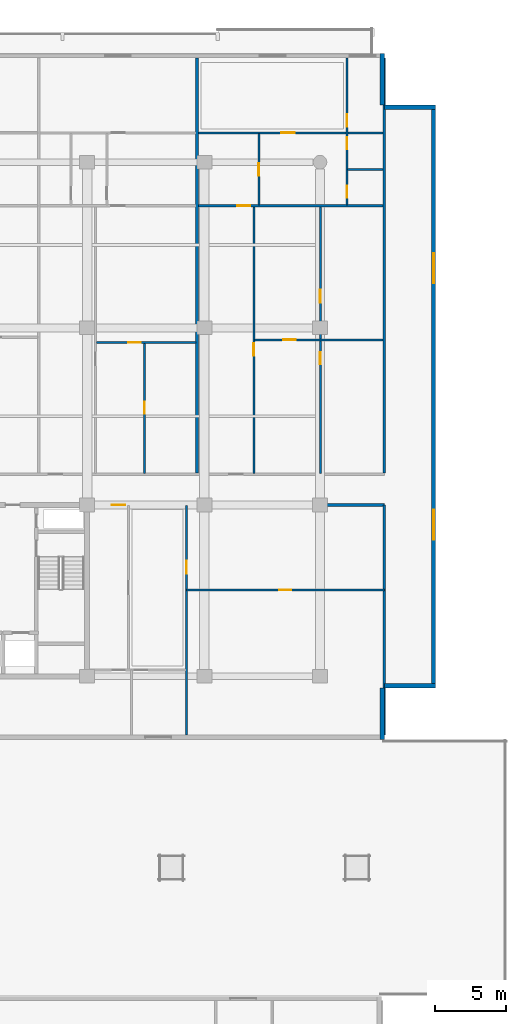
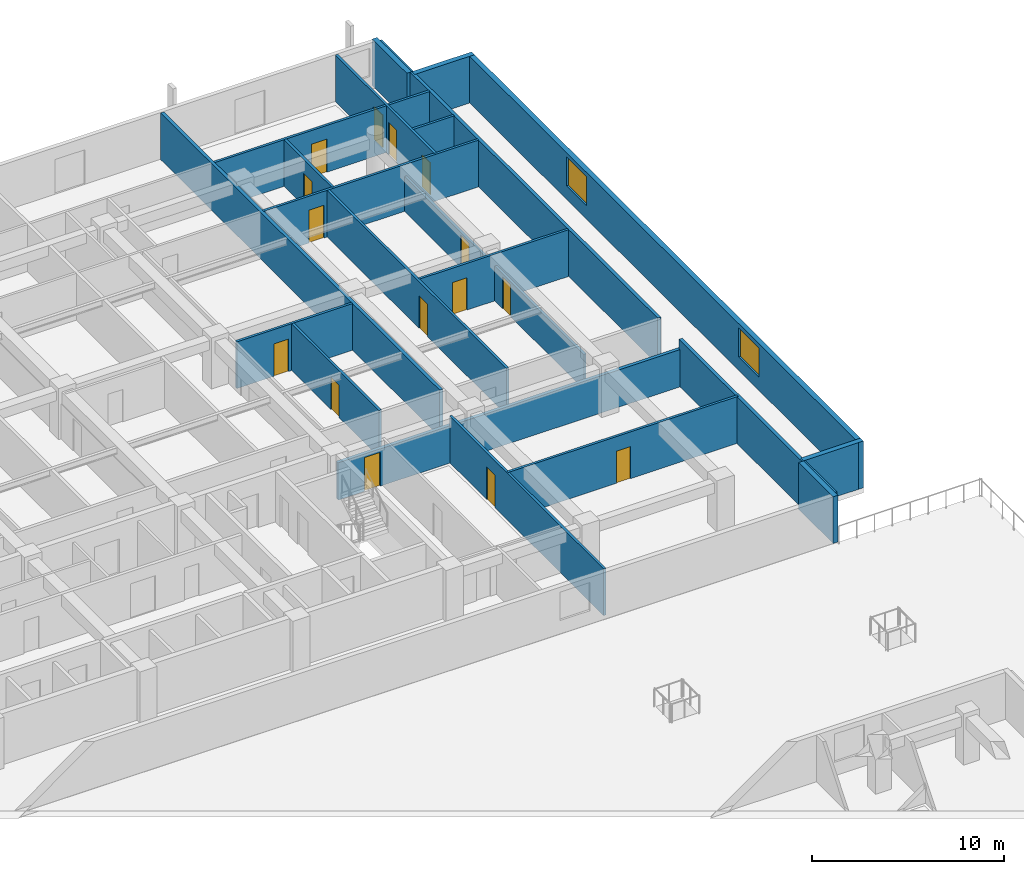
# One storey, part 17 of 24: 21 walls, 15 doors, 2 windows, 17 openings.
"""IFC4 building model written with IfcOpenShell, lengths in metres."""

from ifc_helpers import new_model, si_unit, direction, frame, frame_2d, origin, place, context, subcontext, project, spatial, rectangle, extrude, material, layer, layer_set, type_object, element, fill, save


model = new_model("IFC4")

# Units and contexts
model_context = context("Model", 3, precision=1e-05, world=origin(), true_north=direction((0.0, 1.0)))
body_context = subcontext(model_context, "Body", "Model", "MODEL_VIEW")
ifc_project = project(units=[si_unit("LENGTHUNIT", "METRE"), si_unit("AREAUNIT", "SQUARE_METRE"), si_unit("VOLUMEUNIT", "CUBIC_METRE"), si_unit("PLANEANGLEUNIT", "RADIAN"), si_unit("MASSUNIT", "GRAM", prefix="KILO")], contexts=[model_context])

# Site, building, storey
site_placement = place(None, origin())
site = spatial("IfcSite", under=ifc_project, at=site_placement, CompositionType="ELEMENT")
building_placement = place(site_placement, origin())
building = spatial("IfcBuilding", under=site, at=building_placement, Name="Korimba Cascade Residences", CompositionType="ELEMENT")
storey_placement = place(building_placement, frame((0.0, 0.0, 24.0)))
storey = spatial("IfcBuildingStorey", under=building, at=storey_placement, Name="L05", CompositionType="ELEMENT", Elevation=24.0)

# Walls
ifc_material_1 = material(Name="Precast concrete C40/50", Category="concrete")
ifc_layer_1 = layer(ifc_material_1, 0.300048828125)
ifc_layer_set_1 = layer_set([ifc_layer_1], Name="Precast concrete C40/50")
wall_type_1 = type_object("IfcWallType", Name="EW-STONE-300", PredefinedType="STANDARD", material=ifc_layer_set_1)
wall_1_placement = place(storey_placement, frame((132.75, 50.800048828125, 0.0), z_axis=(0.0, 0.0, 1.0), x_axis=(0.0, 1.0, 0.0)))
element("IfcWall", 1, at=wall_1_placement, inside=storey, type_object=wall_type_1, Name="L05 T1 Perimeter Stone Wall E01", PredefinedType="STANDARD", context=body_context, shape_type="SweptSolid", body=[
    extrude(rectangle(XDim=3.599853515625, YDim=0.300048828125, at=frame_2d((1.7998046875, 0.0))), origin(), (0.0, 0.0, 1.0), 2.969970703125),
])
wall_2_placement = place(storey_placement, frame((132.89990234375, 54.550048828125, 0.0), z_axis=(0.0, 0.0, 1.0), x_axis=(1.0, 0.0, 0.0)))
element("IfcWall", 2, at=wall_2_placement, inside=storey, type_object=wall_type_1, Name="L05 T1 Perimeter Stone Wall E02", PredefinedType="STANDARD", context=body_context, shape_type="SweptSolid", body=[
    extrude(rectangle(XDim=3.60009765625, YDim=0.300048828125, at=frame_2d((1.800048828125, 0.0))), origin(), (0.0, 0.0, 1.0), 2.969970703125),
])

# Wall, openings, windows
wall_3_placement = place(storey_placement, frame((136.35009765625, 54.39990234375, 0.0), z_axis=(0.0, 0.0, 1.0), x_axis=(0.0, 1.0, 0.0)))
wall_3 = element("IfcWall", 3, at=wall_3_placement, inside=storey, type_object=wall_type_1, Name="L05 T1 Perimeter Stone Wall E03", PredefinedType="STANDARD", context=body_context, shape_type="SweptSolid", body=[
    extrude(rectangle(XDim=40.800048828125, YDim=0.300048828125, at=frame_2d((20.39990234375, 0.0))), origin(), (0.0, 0.0, 1.0), 2.969970703125),
])
opening_1_placement = place(wall_3_placement, frame((10.3740234375, 0.0, 0.85009765625)))
opening_1 = element("IfcOpeningElement", 4, at=opening_1_placement, cuts=wall_3, Name="Opening W-03", PredefinedType="OPENING", context=body_context, shape_type="SweptSolid", body=[
    extrude(rectangle(XDim=2.10009765625, YDim=1.85009765625, at=frame_2d((1.050048828125, 0.925048828125))), frame((0.0, 0.16015625, 0.0), z_axis=(0.0, -1.0, 0.0), x_axis=(1.0, 0.0, 0.0)), (0.0, 0.0, 1.0), 0.320068359375),
])
opening_2_placement = place(wall_3_placement, frame((28.325927734375, 0.0, 0.85009765625)))
opening_2 = element("IfcOpeningElement", 5, at=opening_2_placement, cuts=wall_3, Name="Opening W-03", PredefinedType="OPENING", context=body_context, shape_type="SweptSolid", body=[
    extrude(rectangle(XDim=2.10009765625, YDim=1.85009765625, at=frame_2d((1.050048828125, 0.925048828125))), frame((0.0, 0.16015625, 0.0), z_axis=(0.0, -1.0, 0.0), x_axis=(1.0, 0.0, 0.0)), (0.0, 0.0, 1.0), 0.320068359375),
])
ifc_material_2 = material(Name="Double-Glazed Aluminium Window", Category="aluminium")
window_type = type_object("IfcWindowType", Name="WIN-CRN-2100", PartitioningType="DOUBLE_PANEL_HORIZONTAL", PredefinedType="WINDOW", material=ifc_material_2)
window_1_placement = place(opening_1_placement, origin())
window_1 = element("IfcWindow", 6, at=window_1_placement, inside=storey, type_object=window_type, Name="L05 T1 End View Window 3.1", OverallHeight=1.85009765625, OverallWidth=2.10009765625, PartitioningType="DOUBLE_PANEL_HORIZONTAL", PredefinedType="WINDOW", context=body_context, shape_type="SweptSolid", body=[
    extrude(rectangle(XDim=2.10009765625, YDim=1.85009765625, at=frame_2d((1.050048828125, 0.925048828125))), frame((0.0, 0.030029296875, 0.0), z_axis=(0.0, -1.0, 0.0), x_axis=(1.0, 0.0, 0.0)), (0.0, 0.0, 1.0), 0.06005859375),
])
fill(opening_1, window_1)
window_2_placement = place(opening_2_placement, origin())
window_2 = element("IfcWindow", 7, at=window_2_placement, inside=storey, type_object=window_type, Name="L05 T1 End View Window 3.2", OverallHeight=1.85009765625, OverallWidth=2.10009765625, PartitioningType="DOUBLE_PANEL_HORIZONTAL", PredefinedType="WINDOW", context=body_context, shape_type="SweptSolid", body=[
    extrude(rectangle(XDim=2.10009765625, YDim=1.85009765625, at=frame_2d((1.050048828125, 0.925048828125))), frame((0.0, 0.030029296875, 0.0), z_axis=(0.0, -1.0, 0.0), x_axis=(1.0, 0.0, 0.0)), (0.0, 0.0, 1.0), 0.06005859375),
])
fill(opening_2, window_2)

# Walls
for number, where, z_axis, x_axis, name in (
    (8, (136.5, 95.050048828125, 0.0), (0.0, 0.0, 1.0), (-1.0, 0.0, 0.0), "L05 T1 Perimeter Stone Wall E04"),
    (9, (132.75, 95.199951171875, 0.0), (0.0, 0.0, 1.0), (0.0, 1.0, 0.0), "L05 T1 Perimeter Stone Wall E05"),
):
    element("IfcWall", number, at=place(storey_placement, frame(where, z_axis=z_axis, x_axis=x_axis)), inside=storey, type_object=wall_type_1, Name=name, PredefinedType="STANDARD", context=body_context, shape_type="SweptSolid", body=[
        extrude(rectangle(XDim=3.60009765625, YDim=0.300048828125, at=frame_2d((1.800048828125, 0.0))), origin(), (0.0, 0.0, 1.0), 2.969970703125),
    ])
ifc_layer_2 = layer(ifc_material_1, 0.199951171875)
ifc_layer_set_2 = layer_set([ifc_layer_2], Name="Precast concrete C40/50")
wall_type_2 = type_object("IfcWallType", Name="WAL-IT-200", PredefinedType="PARTITIONING", material=ifc_layer_set_2)
wall_4_placement = place(storey_placement, frame((132.89990234375, 51.10009765625, 0.0), z_axis=(0.0, 0.0, 1.0), x_axis=(0.0, 1.0, 0.0)))
element("IfcWall", 10, at=wall_4_placement, inside=storey, type_object=wall_type_2, Name="L05 Partition Wall WAL-L05-T1-FE-WR", PredefinedType="PARTITIONING", context=body_context, shape_type="SweptSolid", body=[
    extrude(rectangle(XDim=16.099853515625, YDim=0.199951171875, at=frame_2d((8.0498046875, 0.0))), origin(), (0.0, 0.0, 1.0), 2.969970703125),
])

# Wall, opening, door
wall_5_placement = place(storey_placement, frame((112.25, 67.199951171875, 0.0), z_axis=(0.0, 0.0, 1.0), x_axis=(1.0, 0.0, 0.0)))
wall_5 = element("IfcWall", 11, at=wall_5_placement, inside=storey, type_object=wall_type_2, Name="L05 Partition Wall WAL-L05-T1-FE-N", PredefinedType="PARTITIONING", context=body_context, shape_type="SweptSolid", body=[
    extrude(rectangle(XDim=20.64990234375, YDim=0.199951171875, at=frame_2d((10.324951171875, 0.0))), origin(), (0.0, 0.0, 1.0), 2.3701171875),
])
opening_3_placement = place(wall_5_placement, frame((1.580078125, 0.0, 0.0)))
opening_3 = element("IfcOpeningElement", 12, at=opening_3_placement, cuts=wall_5, Name="Opening D-UN1", PredefinedType="OPENING", context=body_context, shape_type="SweptSolid", body=[
    extrude(rectangle(XDim=0.949951171875, YDim=2.14990234375, at=frame_2d((0.47509765625, 1.074951171875))), frame((0.0, 0.10986328125, 0.0), z_axis=(0.0, -1.0, 0.0), x_axis=(1.0, 0.0, 0.0)), (0.0, 0.0, 1.0), 0.219970703125),
])
ifc_material_3 = material(Name="Fire-Rated Hardwood Apartment Entrance Door", Category="wood")
door_type_1 = type_object("IfcDoorType", Name="DR-FD60-950", OperationType="NOTDEFINED", PredefinedType="DOOR", material=ifc_material_3)
door_1_placement = place(opening_3_placement, origin())
door_1 = element("IfcDoor", 13, at=door_1_placement, inside=storey, type_object=door_type_1, Name="L05-T1-FE Entrance Door", OperationType="SINGLE_SWING_RIGHT", OverallHeight=2.14990234375, OverallWidth=0.949951171875, PredefinedType="DOOR", context=body_context, shape_type="SweptSolid", body=[
    extrude(rectangle(XDim=0.949951171875, YDim=2.14990234375, at=frame_2d((0.47509765625, 1.074951171875))), frame((0.0, 0.02490234375, 0.0), z_axis=(0.0, -1.0, 0.0), x_axis=(1.0, 0.0, 0.0)), (0.0, 0.0, 1.0), 0.050048828125),
])
fill(opening_3, door_1)

# Walls
for number, where, z_axis, x_axis, name in (
    (14, (132.89990234375, 69.429931640625, 0.0), (0.0, 0.0, 1.0), (0.0, 1.0, 0.0), "L05 Partition Wall WAL-L05-T1-BNDWR"),
    (15, (119.798583984375, 69.429931640625, 0.0), (0.0, 0.0, 1.0), (0.0, 1.0, 0.0), "L05 Partition Wall WAL-L05-T1-DEM-6"),
):
    element("IfcWall", number, at=place(storey_placement, frame(where, z_axis=z_axis, x_axis=x_axis)), inside=storey, type_object=wall_type_2, Name=name, PredefinedType="PARTITIONING", context=body_context, shape_type="SweptSolid", body=[
        extrude(rectangle(XDim=29.070068359375, YDim=0.199951171875, at=frame_2d((14.53515625, 0.0))), origin(), (0.0, 0.0, 1.0), 2.969970703125),
    ])

# Wall, opening, door
ifc_material_4 = material(Name="Insulated Acoustic Stud Partition", Category="gypsum")
ifc_layer_3 = layer(ifc_material_4, 0.14990234375)
ifc_layer_set_3 = layer_set([ifc_layer_3], Name="Insulated Acoustic Stud Partition")
wall_type_3 = type_object("IfcWallType", Name="WAL-PART-150", PredefinedType="PARTITIONING", material=ifc_layer_set_3)
wall_6_placement = place(storey_placement, frame((119.050048828125, 61.25, 0.0), z_axis=(0.0, 0.0, 1.0), x_axis=(1.0, 0.0, 0.0)))
wall_6 = element("IfcWall", 16, at=wall_6_placement, inside=storey, type_object=wall_type_3, Name="L05 Partition Wall WAL-L05-T1-FE-STH", PredefinedType="PARTITIONING", context=body_context, shape_type="SweptSolid", body=[
    extrude(rectangle(XDim=13.849853515625, YDim=0.14990234375, at=frame_2d((6.9248046875, 0.0))), origin(), (0.0, 0.0, 1.0), 2.969970703125),
])
opening_4_placement = place(wall_6_placement, frame((6.5048828125, 0.0, 0.0)))
opening_4 = element("IfcOpeningElement", 17, at=opening_4_placement, cuts=wall_6, Name="Opening D-BT1", PredefinedType="OPENING", context=body_context, shape_type="SweptSolid", body=[
    extrude(rectangle(XDim=0.840087890625, YDim=2.0400390625, at=frame_2d((0.419921875, 1.02001953125))), frame((0.0, 0.0849609375, 0.0), z_axis=(0.0, -1.0, 0.0), x_axis=(1.0, 0.0, 0.0)), (0.0, 0.0, 1.0), 0.169921875),
])
ifc_material_5 = material(Name="Moisture-Resistant Bathroom Timber Door", Category="wood")
door_type_2 = type_object("IfcDoorType", Name="DR-INT-850", OperationType="NOTDEFINED", PredefinedType="DOOR", material=ifc_material_5)
door_2_placement = place(opening_4_placement, origin())
door_2 = element("IfcDoor", 18, at=door_2_placement, inside=storey, type_object=door_type_2, Name="L05-T1-FE Dressing Store Door", OperationType="SINGLE_SWING_LEFT", OverallHeight=2.0400390625, OverallWidth=0.840087890625, PredefinedType="DOOR", context=body_context, shape_type="SweptSolid", body=[
    extrude(rectangle(XDim=0.840087890625, YDim=2.0400390625, at=frame_2d((0.419921875, 1.02001953125))), frame((0.0, 0.02490234375, 0.0), z_axis=(0.0, -1.0, 0.0), x_axis=(1.0, 0.0, 0.0)), (0.0, 0.0, 1.0), 0.050048828125),
])
fill(opening_4, door_2)

wall_7_placement = place(storey_placement, frame((119.050048828125, 51.10009765625, 0.0), z_axis=(0.0, 0.0, 1.0), x_axis=(0.0, 1.0, 0.0)))
wall_7 = element("IfcWall", 19, at=wall_7_placement, inside=storey, type_object=wall_type_3, Name="L05 Partition Wall WAL-L05-T1-FE-STV", PredefinedType="PARTITIONING", context=body_context, shape_type="SweptSolid", body=[
    extrude(rectangle(XDim=16.0498046875, YDim=0.14990234375, at=frame_2d((8.02490234375, 0.0))), origin(), (0.0, 0.0, 1.0), 2.969970703125),
])
opening_5_placement = place(wall_7_placement, frame((11.300048828125, 0.0, 0.0)))
opening_5 = element("IfcOpeningElement", 20, at=opening_5_placement, cuts=wall_7, Name="Opening D-IN2", PredefinedType="OPENING", context=body_context, shape_type="SweptSolid", body=[
    extrude(rectangle(XDim=0.8798828125, YDim=2.06005859375, at=frame_2d((0.43994140625, 1.030029296875))), frame((0.0, 0.0849609375, 0.0), z_axis=(0.0, -1.0, 0.0), x_axis=(1.0, 0.0, 0.0)), (0.0, 0.0, 1.0), 0.169921875),
])
ifc_material_6 = material(Name="Acoustic Timber Bedroom Door", Category="wood")
door_type_3 = type_object("IfcDoorType", Name="DR-INT-880", OperationType="NOTDEFINED", PredefinedType="DOOR", material=ifc_material_6)
door_3_placement = place(opening_5_placement, origin())
door_3 = element("IfcDoor", 21, at=door_3_placement, inside=storey, type_object=door_type_3, Name="L05-T1-FE Study Door", OperationType="SINGLE_SWING_RIGHT", OverallHeight=2.06005859375, OverallWidth=0.8798828125, PredefinedType="DOOR", context=body_context, shape_type="SweptSolid", body=[
    extrude(rectangle(XDim=0.8798828125, YDim=2.06005859375, at=frame_2d((0.43994140625, 1.030029296875))), frame((0.0, 0.02490234375, 0.0), z_axis=(0.0, -1.0, 0.0), x_axis=(1.0, 0.0, 0.0)), (0.0, 0.0, 1.0), 0.050048828125),
])
fill(opening_5, door_3)

wall_8_placement = place(storey_placement, frame((116.11083984375, 69.409912109375, 0.0), z_axis=(0.0, 0.0, 1.0), x_axis=(0.0, 1.0, 0.0)))
wall_8 = element("IfcWall", 22, at=wall_8_placement, inside=storey, type_object=wall_type_3, Name="L05 Partition Wall WAL-L05-T1-U06-FMV", PredefinedType="PARTITIONING", context=body_context, shape_type="SweptSolid", body=[
    extrude(rectangle(XDim=9.170166015625, YDim=0.14990234375, at=frame_2d((4.5849609375, 0.0))), origin(), (0.0, 0.0, 1.0), 2.969970703125),
])
opening_6_placement = place(wall_8_placement, frame((4.1650390625, 0.0, 0.0)))
opening_6 = element("IfcOpeningElement", 23, at=opening_6_placement, cuts=wall_8, Name="Opening D-BT1", PredefinedType="OPENING", context=body_context, shape_type="SweptSolid", body=[
    extrude(rectangle(XDim=0.840087890625, YDim=2.0400390625, at=frame_2d((0.419921875, 1.02001953125))), frame((0.0, 0.0849609375, 0.0), z_axis=(0.0, -1.0, 0.0), x_axis=(1.0, 0.0, 0.0)), (0.0, 0.0, 1.0), 0.169921875),
])
door_4_placement = place(opening_6_placement, origin())
door_4 = element("IfcDoor", 24, at=door_4_placement, inside=storey, type_object=door_type_2, Name="L05-T1-U06 Wardrobe Door", OperationType="SINGLE_SWING_LEFT", OverallHeight=2.0400390625, OverallWidth=0.840087890625, PredefinedType="DOOR", context=body_context, shape_type="SweptSolid", body=[
    extrude(rectangle(XDim=0.840087890625, YDim=2.0400390625, at=frame_2d((0.419921875, 1.02001953125))), frame((0.0, 0.02490234375, 0.0), z_axis=(0.0, -1.0, 0.0), x_axis=(1.0, 0.0, 0.0)), (0.0, 0.0, 1.0), 0.050048828125),
])
fill(opening_6, door_4)

wall_9_placement = place(storey_placement, frame((112.742919921875, 78.580078125, 0.0), z_axis=(0.0, 0.0, 1.0), x_axis=(1.0, 0.0, 0.0)))
wall_9 = element("IfcWall", 25, at=wall_9_placement, inside=storey, type_object=wall_type_3, Name="L05 Partition Wall WAL-L05-T1-U06-FMH", PredefinedType="PARTITIONING", context=body_context, shape_type="SweptSolid", body=[
    extrude(rectangle(XDim=6.9755859375, YDim=0.14990234375, at=frame_2d((3.48779296875, 0.0))), origin(), (0.0, 0.0, 1.0), 2.969970703125),
])
opening_7_placement = place(wall_9_placement, frame((2.2294921875, 0.0, 0.0)))
opening_7 = element("IfcOpeningElement", 26, at=opening_7_placement, cuts=wall_9, Name="Opening D-IN2", PredefinedType="OPENING", context=body_context, shape_type="SweptSolid", body=[
    extrude(rectangle(XDim=0.8798828125, YDim=2.06005859375, at=frame_2d((0.43994140625, 1.030029296875))), frame((0.0, 0.0849609375, 0.0), z_axis=(0.0, -1.0, 0.0), x_axis=(1.0, 0.0, 0.0)), (0.0, 0.0, 1.0), 0.169921875),
])
door_5_placement = place(opening_7_placement, origin())
door_5 = element("IfcDoor", 27, at=door_5_placement, inside=storey, type_object=door_type_3, Name="L05-T1-U06 Library Salon Door", OperationType="SINGLE_SWING_RIGHT", OverallHeight=2.06005859375, OverallWidth=0.8798828125, PredefinedType="DOOR", context=body_context, shape_type="SweptSolid", body=[
    extrude(rectangle(XDim=0.8798828125, YDim=2.06005859375, at=frame_2d((0.43994140625, 1.030029296875))), frame((0.0, 0.02490234375, 0.0), z_axis=(0.0, -1.0, 0.0), x_axis=(1.0, 0.0, 0.0)), (0.0, 0.0, 1.0), 0.050048828125),
])
fill(opening_7, door_5)

# Wall, openings, doors
wall_10_placement = place(storey_placement, frame((128.42431640625, 69.409912109375, 0.0), z_axis=(0.0, 0.0, 1.0), x_axis=(0.0, 1.0, 0.0)))
wall_10 = element("IfcWall", 28, at=wall_10_placement, inside=storey, type_object=wall_type_3, Name="L05 Partition Wall WAL-L05-T1-U07-FMV", PredefinedType="PARTITIONING", context=body_context, shape_type="SweptSolid", body=[
    extrude(rectangle(XDim=18.7001953125, YDim=0.14990234375, at=frame_2d((9.35009765625, 0.0))), origin(), (0.0, 0.0, 1.0), 2.219970703125),
])
opening_8_placement = place(wall_10_placement, frame((7.627197265625, 0.0, 0.0)))
opening_8 = element("IfcOpeningElement", 29, at=opening_8_placement, cuts=wall_10, Name="Opening D-BT1", PredefinedType="OPENING", context=body_context, shape_type="SweptSolid", body=[
    extrude(rectangle(XDim=0.840087890625, YDim=2.0400390625, at=frame_2d((0.419921875, 1.02001953125))), frame((0.0, 0.0849609375, 0.0), z_axis=(0.0, -1.0, 0.0), x_axis=(1.0, 0.0, 0.0)), (0.0, 0.0, 1.0), 0.169921875),
])
opening_9_placement = place(wall_10_placement, frame((11.9609375, 0.0, 0.0)))
opening_9 = element("IfcOpeningElement", 30, at=opening_9_placement, cuts=wall_10, Name="Opening D-IN2", PredefinedType="OPENING", context=body_context, shape_type="SweptSolid", body=[
    extrude(rectangle(XDim=0.8798828125, YDim=2.06005859375, at=frame_2d((0.43994140625, 1.030029296875))), frame((0.0, 0.0849609375, 0.0), z_axis=(0.0, -1.0, 0.0), x_axis=(1.0, 0.0, 0.0)), (0.0, 0.0, 1.0), 0.169921875),
])
door_6_placement = place(opening_8_placement, origin())
door_6 = element("IfcDoor", 31, at=door_6_placement, inside=storey, type_object=door_type_2, Name="L05-T1-U07 Wardrobe Door", OperationType="SINGLE_SWING_RIGHT", OverallHeight=2.0400390625, OverallWidth=0.840087890625, PredefinedType="DOOR", context=body_context, shape_type="SweptSolid", body=[
    extrude(rectangle(XDim=0.840087890625, YDim=2.0400390625, at=frame_2d((0.419921875, 1.02001953125))), frame((0.0, 0.02490234375, 0.0), z_axis=(0.0, -1.0, 0.0), x_axis=(1.0, 0.0, 0.0)), (0.0, 0.0, 1.0), 0.050048828125),
])
fill(opening_8, door_6)
door_7_placement = place(opening_9_placement, origin())
door_7 = element("IfcDoor", 32, at=door_7_placement, inside=storey, type_object=door_type_3, Name="L05-T1-U07 Music Lounge Door", OperationType="SINGLE_SWING_LEFT", OverallHeight=2.06005859375, OverallWidth=0.8798828125, PredefinedType="DOOR", context=body_context, shape_type="SweptSolid", body=[
    extrude(rectangle(XDim=0.8798828125, YDim=2.06005859375, at=frame_2d((0.43994140625, 1.030029296875))), frame((0.0, 0.02490234375, 0.0), z_axis=(0.0, -1.0, 0.0), x_axis=(1.0, 0.0, 0.0)), (0.0, 0.0, 1.0), 0.050048828125),
])
fill(opening_9, door_7)

# Wall, opening, door
wall_11_placement = place(storey_placement, frame((123.82861328125, 78.760009765625, 0.0), z_axis=(0.0, 0.0, 1.0), x_axis=(1.0, 0.0, 0.0)))
wall_11 = element("IfcWall", 33, at=wall_11_placement, inside=storey, type_object=wall_type_3, Name="L05 Partition Wall WAL-L05-T1-U07-FMH", PredefinedType="PARTITIONING", context=body_context, shape_type="SweptSolid", body=[
    extrude(rectangle(XDim=8.991455078125, YDim=0.14990234375, at=frame_2d((4.49560546875, 0.0))), origin(), (0.0, 0.0, 1.0), 2.969970703125),
])
opening_10_placement = place(wall_11_placement, frame((1.98583984375, 0.0, 0.0)))
opening_10 = element("IfcOpeningElement", 34, at=opening_10_placement, cuts=wall_11, Name="Opening D-IN2", PredefinedType="OPENING", context=body_context, shape_type="SweptSolid", body=[
    extrude(rectangle(XDim=0.8798828125, YDim=2.06005859375, at=frame_2d((0.43994140625, 1.030029296875))), frame((0.0, 0.0849609375, 0.0), z_axis=(0.0, -1.0, 0.0), x_axis=(1.0, 0.0, 0.0)), (0.0, 0.0, 1.0), 0.169921875),
])
door_8_placement = place(opening_10_placement, origin())
door_8 = element("IfcDoor", 35, at=door_8_placement, inside=storey, type_object=door_type_3, Name="L05-T1-U07 Library Salon Door", OperationType="SINGLE_SWING_RIGHT", OverallHeight=2.06005859375, OverallWidth=0.8798828125, PredefinedType="DOOR", context=body_context, shape_type="SweptSolid", body=[
    extrude(rectangle(XDim=0.8798828125, YDim=2.06005859375, at=frame_2d((0.43994140625, 1.030029296875))), frame((0.0, 0.02490234375, 0.0), z_axis=(0.0, -1.0, 0.0), x_axis=(1.0, 0.0, 0.0)), (0.0, 0.0, 1.0), 0.050048828125),
])
fill(opening_10, door_8)

wall_12_placement = place(storey_placement, frame((123.7685546875, 69.409912109375, 0.0), z_axis=(0.0, 0.0, 1.0), x_axis=(0.0, 1.0, 0.0)))
wall_12 = element("IfcWall", 36, at=wall_12_placement, inside=storey, type_object=wall_type_3, Name="L05 Partition Wall WAL-L05-T1-U07-FV", PredefinedType="PARTITIONING", context=body_context, shape_type="SweptSolid", body=[
    extrude(rectangle(XDim=18.7001953125, YDim=0.14990234375, at=frame_2d((9.35009765625, 0.0))), origin(), (0.0, 0.0, 1.0), 2.969970703125),
])
opening_11_placement = place(wall_12_placement, frame((8.219970703125, 0.0, 0.0)))
opening_11 = element("IfcOpeningElement", 37, at=opening_11_placement, cuts=wall_12, Name="Opening D-IN2", PredefinedType="OPENING", context=body_context, shape_type="SweptSolid", body=[
    extrude(rectangle(XDim=0.8798828125, YDim=2.06005859375, at=frame_2d((0.43994140625, 1.030029296875))), frame((0.0, 0.0849609375, 0.0), z_axis=(0.0, -1.0, 0.0), x_axis=(1.0, 0.0, 0.0)), (0.0, 0.0, 1.0), 0.169921875),
])
door_9_placement = place(opening_11_placement, origin())
door_9 = element("IfcDoor", 38, at=door_9_placement, inside=storey, type_object=door_type_3, Name="L05-T1-U07 Media Lounge Door", OperationType="SINGLE_SWING_LEFT", OverallHeight=2.06005859375, OverallWidth=0.8798828125, PredefinedType="DOOR", context=body_context, shape_type="SweptSolid", body=[
    extrude(rectangle(XDim=0.8798828125, YDim=2.06005859375, at=frame_2d((0.43994140625, 1.030029296875))), frame((0.0, 0.02490234375, 0.0), z_axis=(0.0, -1.0, 0.0), x_axis=(1.0, 0.0, 0.0)), (0.0, 0.0, 1.0), 0.050048828125),
])
fill(opening_11, door_9)

wall_13_placement = place(storey_placement, frame((124.11865234375, 88.18994140625, 0.0), z_axis=(0.0, 0.0, 1.0), x_axis=(0.0, 1.0, 0.0)))
wall_13 = element("IfcWall", 39, at=wall_13_placement, inside=storey, type_object=wall_type_3, Name="L05 Partition Wall WAL-L05-T1-U07-VDIN", PredefinedType="PARTITIONING", context=body_context, shape_type="SweptSolid", body=[
    extrude(rectangle(XDim=5.0, YDim=0.14990234375, at=frame_2d((2.5, 0.0))), origin(), (0.0, 0.0, 1.0), 2.969970703125),
])
opening_12_placement = place(wall_13_placement, frame((2.06005859375, 0.0, 0.0)))
opening_12 = element("IfcOpeningElement", 40, at=opening_12_placement, cuts=wall_13, Name="Opening D-IN2", PredefinedType="OPENING", context=body_context, shape_type="SweptSolid", body=[
    extrude(rectangle(XDim=0.8798828125, YDim=2.06005859375, at=frame_2d((0.43994140625, 1.030029296875))), frame((0.0, 0.0849609375, 0.0), z_axis=(0.0, -1.0, 0.0), x_axis=(1.0, 0.0, 0.0)), (0.0, 0.0, 1.0), 0.169921875),
])
door_10_placement = place(opening_12_placement, origin())
door_10 = element("IfcDoor", 41, at=door_10_placement, inside=storey, type_object=door_type_3, Name="L05-T1-U07 Dining Room Door", OperationType="SINGLE_SWING_RIGHT", OverallHeight=2.06005859375, OverallWidth=0.8798828125, PredefinedType="DOOR", context=body_context, shape_type="SweptSolid", body=[
    extrude(rectangle(XDim=0.8798828125, YDim=2.06005859375, at=frame_2d((0.43994140625, 1.030029296875))), frame((0.0, 0.02490234375, 0.0), z_axis=(0.0, -1.0, 0.0), x_axis=(1.0, 0.0, 0.0)), (0.0, 0.0, 1.0), 0.050048828125),
])
fill(opening_12, door_10)

# Wall
wall_14_placement = place(storey_placement, frame((130.340087890625, 90.68994140625, 0.0), z_axis=(0.0, 0.0, 1.0), x_axis=(1.0, 0.0, 0.0)))
element("IfcWall", 42, at=wall_14_placement, inside=storey, type_object=wall_type_3, Name="L05 Partition Wall WAL-L05-T1-U07-BLDIV", PredefinedType="PARTITIONING", context=body_context, shape_type="SweptSolid", body=[
    extrude(rectangle(XDim=2.47998046875, YDim=0.14990234375, at=frame_2d((1.239990234375, 0.0))), origin(), (0.0, 0.0, 1.0), 2.969970703125),
])

# Wall, openings, doors
wall_15_placement = place(storey_placement, frame((130.280029296875, 88.18994140625, 0.0), z_axis=(0.0, 0.0, 1.0), x_axis=(0.0, 1.0, 0.0)))
wall_15 = element("IfcWall", 43, at=wall_15_placement, inside=storey, type_object=wall_type_3, Name="L05 Partition Wall WAL-L05-T1-U07-V1", PredefinedType="PARTITIONING", context=body_context, shape_type="SweptSolid", body=[
    extrude(rectangle(XDim=10.31005859375, YDim=0.14990234375, at=frame_2d((5.155029296875, 0.0))), origin(), (0.0, 0.0, 1.0), 2.969970703125),
])
opening_13_placement = place(wall_15_placement, frame((0.5126953125, 0.0, 0.0)))
opening_13 = element("IfcOpeningElement", 44, at=opening_13_placement, cuts=wall_15, Name="Opening D-BT1", PredefinedType="OPENING", context=body_context, shape_type="SweptSolid", body=[
    extrude(rectangle(XDim=0.840087890625, YDim=2.0400390625, at=frame_2d((0.419921875, 1.02001953125))), frame((0.0, 0.0849609375, 0.0), z_axis=(0.0, -1.0, 0.0), x_axis=(1.0, 0.0, 0.0)), (0.0, 0.0, 1.0), 0.169921875),
])
opening_14_placement = place(wall_15_placement, frame((3.919921875, 0.0, 0.0)))
opening_14 = element("IfcOpeningElement", 45, at=opening_14_placement, cuts=wall_15, Name="Opening D-BT1", PredefinedType="OPENING", context=body_context, shape_type="SweptSolid", body=[
    extrude(rectangle(XDim=0.840087890625, YDim=2.0400390625, at=frame_2d((0.419921875, 1.02001953125))), frame((0.0, 0.0849609375, 0.0), z_axis=(0.0, -1.0, 0.0), x_axis=(1.0, 0.0, 0.0)), (0.0, 0.0, 1.0), 0.169921875),
])
opening_15_placement = place(wall_15_placement, frame((5.47998046875, 0.0, 0.0)))
opening_15 = element("IfcOpeningElement", 46, at=opening_15_placement, cuts=wall_15, Name="Opening D-IN2", PredefinedType="OPENING", context=body_context, shape_type="SweptSolid", body=[
    extrude(rectangle(XDim=0.8798828125, YDim=2.06005859375, at=frame_2d((0.43994140625, 1.030029296875))), frame((0.0, 0.0849609375, 0.0), z_axis=(0.0, -1.0, 0.0), x_axis=(1.0, 0.0, 0.0)), (0.0, 0.0, 1.0), 0.169921875),
])
door_11_placement = place(opening_13_placement, origin())
door_11 = element("IfcDoor", 47, at=door_11_placement, inside=storey, type_object=door_type_2, Name="L05-T1-U07 Bathroom Door", OperationType="SINGLE_SWING_LEFT", OverallHeight=2.0400390625, OverallWidth=0.840087890625, PredefinedType="DOOR", context=body_context, shape_type="SweptSolid", body=[
    extrude(rectangle(XDim=0.840087890625, YDim=2.0400390625, at=frame_2d((0.419921875, 1.02001953125))), frame((0.0, 0.02490234375, 0.0), z_axis=(0.0, -1.0, 0.0), x_axis=(1.0, 0.0, 0.0)), (0.0, 0.0, 1.0), 0.050048828125),
])
fill(opening_13, door_11)
door_12_placement = place(opening_14_placement, origin())
door_12 = element("IfcDoor", 48, at=door_12_placement, inside=storey, type_object=door_type_2, Name="L05-T1-U07 Laundry Door", OperationType="SINGLE_SWING_RIGHT", OverallHeight=2.0400390625, OverallWidth=0.840087890625, PredefinedType="DOOR", context=body_context, shape_type="SweptSolid", body=[
    extrude(rectangle(XDim=0.840087890625, YDim=2.0400390625, at=frame_2d((0.419921875, 1.02001953125))), frame((0.0, 0.02490234375, 0.0), z_axis=(0.0, -1.0, 0.0), x_axis=(1.0, 0.0, 0.0)), (0.0, 0.0, 1.0), 0.050048828125),
])
fill(opening_14, door_12)
door_13_placement = place(opening_15_placement, origin())
door_13 = element("IfcDoor", 49, at=door_13_placement, inside=storey, type_object=door_type_3, Name="L05-T1-U07 Bedroom 1 Door", OperationType="SINGLE_SWING_LEFT", OverallHeight=2.06005859375, OverallWidth=0.8798828125, PredefinedType="DOOR", context=body_context, shape_type="SweptSolid", body=[
    extrude(rectangle(XDim=0.8798828125, YDim=2.06005859375, at=frame_2d((0.43994140625, 1.030029296875))), frame((0.0, 0.02490234375, 0.0), z_axis=(0.0, -1.0, 0.0), x_axis=(1.0, 0.0, 0.0)), (0.0, 0.0, 1.0), 0.050048828125),
])
fill(opening_15, door_13)

# Wall, opening, door
wall_16_placement = place(storey_placement, frame((119.878662109375, 88.14990234375, 0.0), z_axis=(0.0, 0.0, 1.0), x_axis=(1.0, 0.0, 0.0)))
wall_16 = element("IfcWall", 50, at=wall_16_placement, inside=storey, type_object=wall_type_3, Name="L05 Partition Wall WAL-L05-T1-U07-MW", PredefinedType="PARTITIONING", context=body_context, shape_type="SweptSolid", body=[
    extrude(rectangle(XDim=12.94140625, YDim=0.14990234375, at=frame_2d((6.470703125, 0.0))), origin(), (0.0, 0.0, 1.0), 2.969970703125),
])
opening_16_placement = place(wall_16_placement, frame((2.719970703125, 0.0, 0.0)))
opening_16 = element("IfcOpeningElement", 51, at=opening_16_placement, cuts=wall_16, Name="Opening D-IN1", PredefinedType="OPENING", context=body_context, shape_type="SweptSolid", body=[
    extrude(rectangle(XDim=0.919921875, YDim=2.080078125, at=frame_2d((0.4599609375, 1.0400390625))), frame((0.0, 0.0849609375, 0.0), z_axis=(0.0, -1.0, 0.0), x_axis=(1.0, 0.0, 0.0)), (0.0, 0.0, 1.0), 0.169921875),
])
ifc_material_7 = material(Name="Acoustic Timber Living Door", Category="wood")
door_type_4 = type_object("IfcDoorType", Name="DR-INT-920", OperationType="NOTDEFINED", PredefinedType="DOOR", material=ifc_material_7)
door_14_placement = place(opening_16_placement, origin())
door_14 = element("IfcDoor", 52, at=door_14_placement, inside=storey, type_object=door_type_4, Name="L05-T1-U07 Kitchen Archway Door", OperationType="SINGLE_SWING_RIGHT", OverallHeight=2.080078125, OverallWidth=0.919921875, PredefinedType="DOOR", context=body_context, shape_type="SweptSolid", body=[
    extrude(rectangle(XDim=0.919921875, YDim=2.080078125, at=frame_2d((0.4599609375, 1.0400390625))), frame((0.0, 0.02490234375, 0.0), z_axis=(0.0, -1.0, 0.0), x_axis=(1.0, 0.0, 0.0)), (0.0, 0.0, 1.0), 0.050048828125),
])
fill(opening_16, door_14)

wall_17_placement = place(storey_placement, frame((119.878662109375, 93.25, 0.0), z_axis=(0.0, 0.0, 1.0), x_axis=(1.0, 0.0, 0.0)))
wall_17 = element("IfcWall", 53, at=wall_17_placement, inside=storey, type_object=wall_type_3, Name="L05 Partition Wall WAL-L05-T1-U07-HZ", PredefinedType="PARTITIONING", context=body_context, shape_type="SweptSolid", body=[
    extrude(rectangle(XDim=12.94140625, YDim=0.14990234375, at=frame_2d((6.470703125, 0.0))), origin(), (0.0, 0.0, 1.0), 2.969970703125),
])
opening_17_placement = place(wall_17_placement, frame((5.80615234375, 0.0, 0.0)))
opening_17 = element("IfcOpeningElement", 54, at=opening_17_placement, cuts=wall_17, Name="Opening D-IN0", PredefinedType="OPENING", context=body_context, shape_type="SweptSolid", body=[
    extrude(rectangle(XDim=0.93994140625, YDim=2.10009765625, at=frame_2d((0.469970703125, 1.050048828125))), frame((0.0, 0.0849609375, 0.0), z_axis=(0.0, -1.0, 0.0), x_axis=(1.0, 0.0, 0.0)), (0.0, 0.0, 1.0), 0.169921875),
])
ifc_material_8 = material(Name="Acoustic Timber Living Archway Door", Category="wood")
door_type_5 = type_object("IfcDoorType", Name="DR-INT-950", OperationType="NOTDEFINED", PredefinedType="DOOR", material=ifc_material_8)
door_15_placement = place(opening_17_placement, origin())
door_15 = element("IfcDoor", 55, at=door_15_placement, inside=storey, type_object=door_type_5, Name="L05-T1-U07 Living Archway Door", OperationType="SINGLE_SWING_LEFT", OverallHeight=2.10009765625, OverallWidth=0.93994140625, PredefinedType="DOOR", context=body_context, shape_type="SweptSolid", body=[
    extrude(rectangle(XDim=0.93994140625, YDim=2.10009765625, at=frame_2d((0.469970703125, 1.050048828125))), frame((0.0, 0.02490234375, 0.0), z_axis=(0.0, -1.0, 0.0), x_axis=(1.0, 0.0, 0.0)), (0.0, 0.0, 1.0), 0.050048828125),
])
fill(opening_17, door_15)

save(model, "model.ifc")
